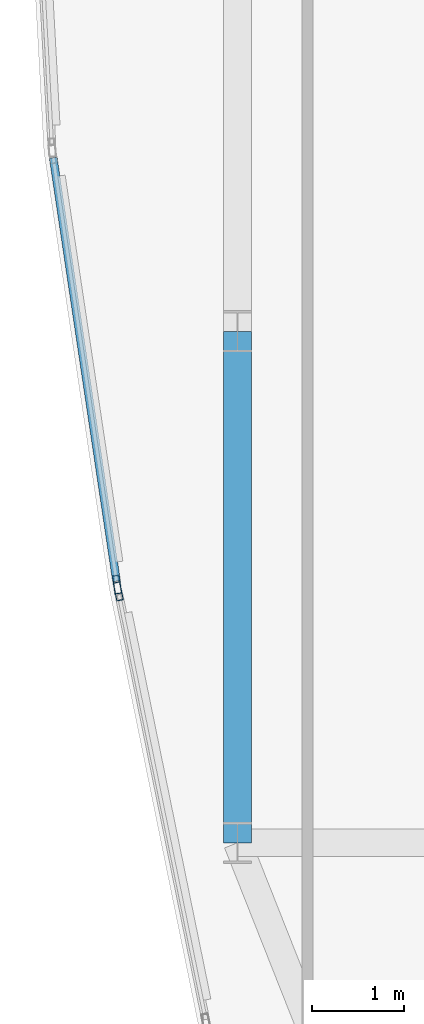
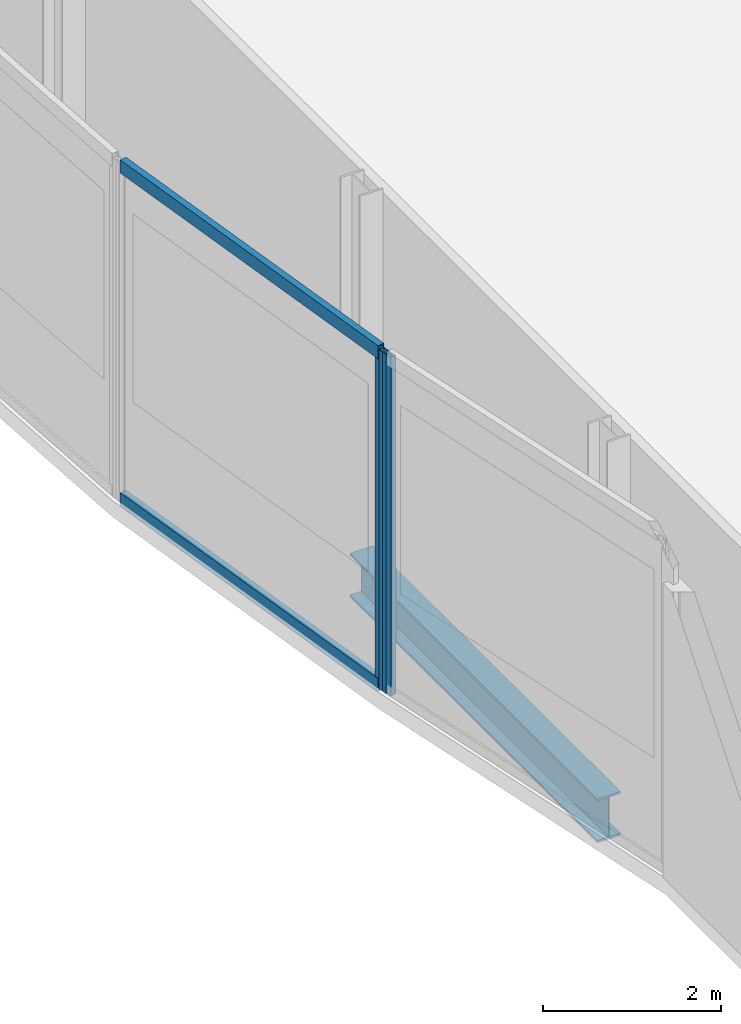
# One storey, part 7 of 32: 4 members, 1 beam, 2 elements without a shape of their own.
"""IFC4 building model written with IfcOpenShell, lengths in metres."""

from ifc_helpers import new_model, si_unit, direction, frame, origin, origin_2d, place, context, subcontext, project, spatial, hollow_rectangle, i_section, extrude, material, material_profile, profile_set, type_object, element, aggregate, save


model = new_model("IFC4")

# Units and contexts
model_context = context("Model", 3, precision=1e-05, world=origin(), true_north=direction((0.0, 1.0)))
body_context = subcontext(model_context, "Body", "Model", "MODEL_VIEW")
ifc_project = project(units=[si_unit("LENGTHUNIT", "METRE"), si_unit("AREAUNIT", "SQUARE_METRE"), si_unit("VOLUMEUNIT", "CUBIC_METRE"), si_unit("PLANEANGLEUNIT", "RADIAN"), si_unit("MASSUNIT", "GRAM", prefix="KILO")], contexts=[model_context])

# Site, building, storey
site_placement = place(None, origin())
site = spatial("IfcSite", under=ifc_project, at=site_placement, CompositionType="ELEMENT")
building_placement = place(site_placement, origin())
building = spatial("IfcBuilding", under=site, at=building_placement, Name="Khoronbel Lancet Exchange", CompositionType="ELEMENT")
storey_placement = place(building_placement, frame((0.0, 0.0, 257.0)))
storey = spatial("IfcBuildingStorey", under=building, at=storey_placement, Name="L66", CompositionType="ELEMENT", Elevation=257.0)

# Beam
ifc_material_1 = material(Name="Steel S355", Category="steel")
ifc_material_profile_1 = material_profile(ifc_material_1, i_section(OverallWidth=0.300048828125, OverallDepth=0.60009765625, WebThickness=0.015380859375, FlangeThickness=0.030029296875, at=origin_2d()), Name="HEB 600")
ifc_profile_set_1 = profile_set([ifc_material_profile_1], Name="Steel S355")
beam_type = type_object("IfcBeamType", Name="BM-BSP2", PredefinedType="SPANDREL", material=ifc_profile_set_1)
beam_placement = place(storey_placement, frame((9.27001953125, 24.75, -0.52001953125), z_axis=(0.0, -1.0, 0.0), x_axis=(1.0, 0.0, 0.0)))
element("IfcBeam", 1, at=beam_placement, inside=storey, type_object=beam_type, Name="Level L66 perimeter spandrel beam SP20", PredefinedType="SPANDREL", context=body_context, shape_type="SweptSolid", body=[
    extrude(i_section(OverallWidth=0.300048828125, OverallDepth=0.60009765625, WebThickness=0.015380859375, FlangeThickness=0.030029296875, at=origin_2d()), origin(), (0.0, 0.0, 1.0), 5.550048828125),
])

# Curtain wall, member
ifc_material_2 = material(Name="Low-E Solar Control Insulating Glass", Category="glass")
curtain_wall_type = type_object("IfcCurtainWallType", Name="CW-4", PredefinedType="NOTDEFINED", material=ifc_material_2)
curtain_wall_1_placement = place(storey_placement, origin())
curtain_wall_1 = element("IfcCurtainWall", 2, at=curtain_wall_1_placement, inside=storey, type_object=curtain_wall_type, Name="Unitised curtain wall CW-L66-E04", PredefinedType="NOTDEFINED")
ifc_material_3 = material(Name="Bronze-Anodised Aluminium 6063-T6", Category="aluminium")
ifc_material_profile_2 = material_profile(ifc_material_3, hollow_rectangle(XDim=0.074951171875, YDim=0.199951171875, WallThickness=0.0048828125, at=origin_2d()), Name="ALU MULLION 75x200")
ifc_profile_set_2 = profile_set([ifc_material_profile_2], Name="Bronze-Anodised Aluminium 6063-T6")
member_type_1 = type_object("IfcMemberType", Name="MEM-CWM2", PredefinedType="MULLION", material=ifc_profile_set_2)
member_1_placement = place(storey_placement, frame((7.976318359375, 21.928955078125, 0.0), z_axis=(0.0, 0.0, 1.0), x_axis=(-0.979785276195, -0.200052024611, 0.0)))
member_1 = element("IfcMember", 3, at=member_1_placement, type_object=member_type_1, Name="CW4 mullion 2", PredefinedType="MULLION", context=body_context, shape_type="SweptSolid", body=[
    extrude(hollow_rectangle(XDim=0.074951171875, YDim=0.199951171875, WallThickness=0.0048828125, at=origin_2d()), origin(), (0.0, 0.0, 1.0), 4.639892578125),
])
aggregate(curtain_wall_1, [member_1])

# Curtain wall, members
curtain_wall_2_placement = place(storey_placement, origin())
curtain_wall_2 = element("IfcCurtainWall", 4, at=curtain_wall_2_placement, inside=storey, type_object=curtain_wall_type, Name="Unitised curtain wall CW-L66-E05", PredefinedType="NOTDEFINED")
member_2_placement = place(storey_placement, frame((7.963134765625, 22.002685546875, 0.0), z_axis=(0.0, 0.0, 1.0), x_axis=(-0.98900689676, -0.147869395619, 0.0)))
member_2 = element("IfcMember", 5, at=member_2_placement, type_object=member_type_1, Name="CW4 mullion 1", PredefinedType="MULLION", context=body_context, shape_type="SweptSolid", body=[
    extrude(hollow_rectangle(XDim=0.074951171875, YDim=0.199951171875, WallThickness=0.0048828125, at=origin_2d()), origin(), (0.0, 0.0, 1.0), 4.639892578125),
])
ifc_material_profile_3 = material_profile(ifc_material_3, hollow_rectangle(XDim=0.0849609375, YDim=0.179931640625, WallThickness=0.0048828125, at=origin_2d()), Name="ALU TRANSOM 85x180")
ifc_profile_set_3 = profile_set([ifc_material_profile_3], Name="Bronze-Anodised Aluminium 6063-T6")
member_type_2 = type_object("IfcMemberType", Name="MEM-CWT1", PredefinedType="USERDEFINED", material=ifc_profile_set_3)
member_3_placement = place(storey_placement, frame((7.957763671875, 22.039794921875, 0.04248046875), z_axis=(-0.147862517337, 0.989007925128, 0.0), x_axis=(-0.989007925128, -0.147862517337, 0.0)))
member_3 = element("IfcMember", 6, at=member_3_placement, type_object=member_type_2, Name="CW4 transom 1.1", ObjectType="TRANSOM", PredefinedType="USERDEFINED", context=body_context, shape_type="SweptSolid", body=[
    extrude(hollow_rectangle(XDim=0.0849609375, YDim=0.179931640625, WallThickness=0.0048828125, at=origin_2d()), origin(), (0.0, 0.0, 1.0), 4.646240234375),
])
member_4_placement = place(storey_placement, frame((7.957763671875, 22.039794921875, 4.597412109375), z_axis=(-0.147862517337, 0.989007925128, 0.0), x_axis=(-0.989007925128, -0.147862517337, 0.0)))
member_4 = element("IfcMember", 7, at=member_4_placement, type_object=member_type_2, Name="CW4 transom 1.2", ObjectType="TRANSOM", PredefinedType="USERDEFINED", context=body_context, shape_type="SweptSolid", body=[
    extrude(hollow_rectangle(XDim=0.0849609375, YDim=0.179931640625, WallThickness=0.0048828125, at=origin_2d()), origin(), (0.0, 0.0, 1.0), 4.646240234375),
])
aggregate(curtain_wall_2, [member_2, member_3, member_4])

save(model, "model.ifc")
